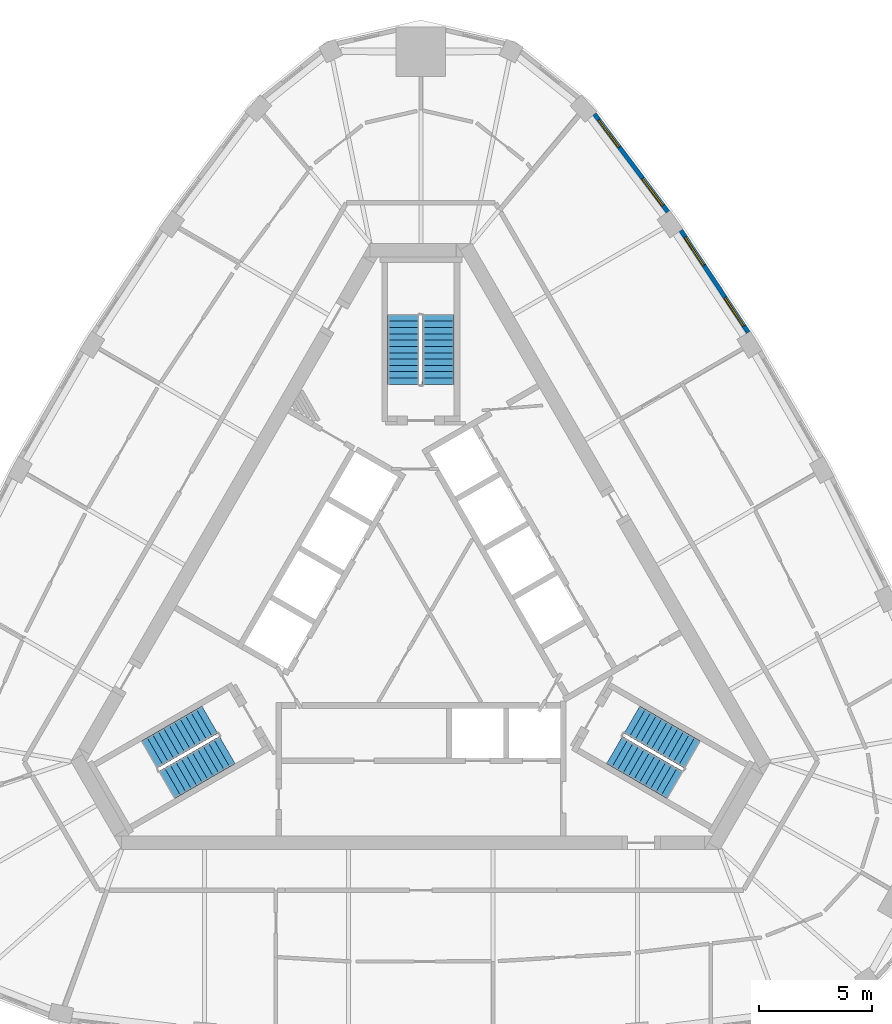
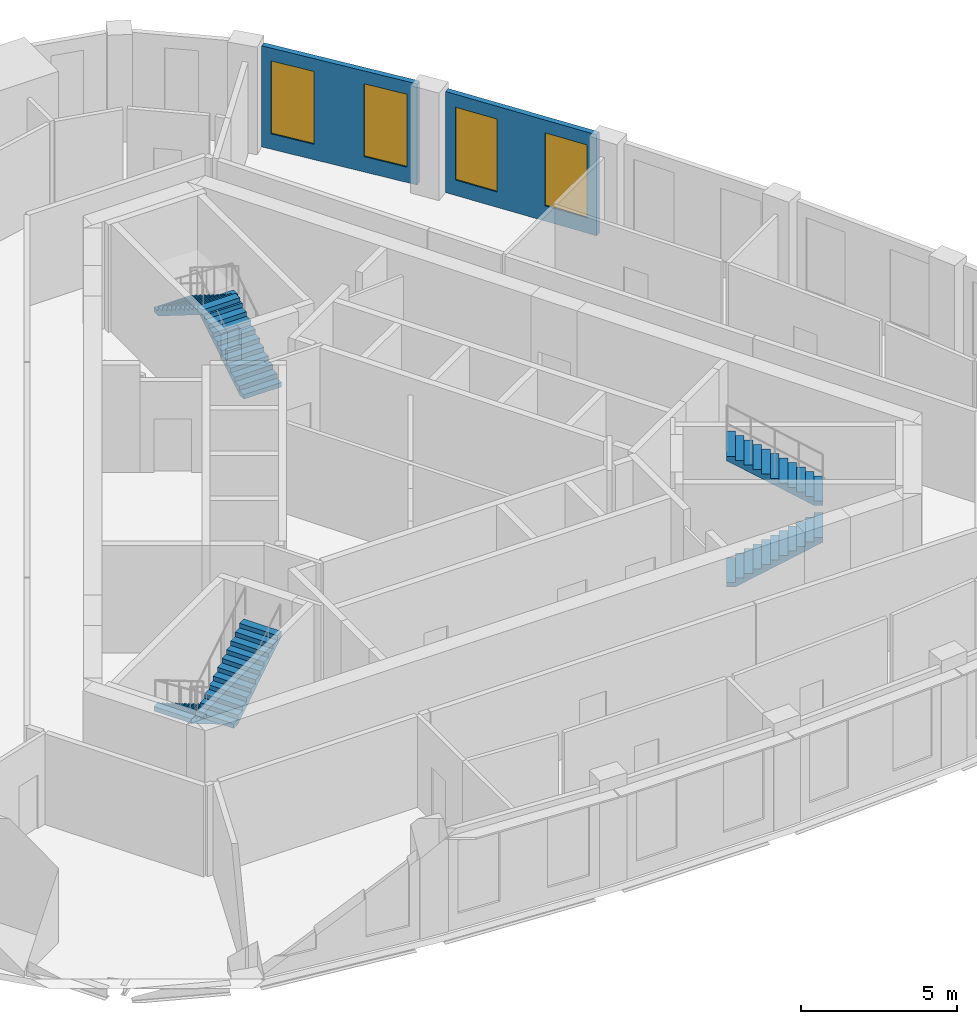
# One storey, part 9 of 10: 6 stair flights, 4 windows, 2 walls, 4 openings, 3 elements without a shape of their own.
"""IFC4 building model written with IfcOpenShell, lengths in metres."""

from ifc_helpers import new_model, si_unit, direction, frame, frame_2d, origin, place, context, subcontext, project, spatial, polyline, rectangle, outline, extrude, material, layer, layer_set, type_object, element, fill, aggregate, save


model = new_model("IFC4")

# Units and contexts
model_context = context("Model", 3, precision=1e-05, world=origin(), true_north=direction((0.0, 1.0)))
body_context = subcontext(model_context, "Body", "Model", "MODEL_VIEW")
ifc_project = project(units=[si_unit("LENGTHUNIT", "METRE"), si_unit("AREAUNIT", "SQUARE_METRE"), si_unit("VOLUMEUNIT", "CUBIC_METRE"), si_unit("PLANEANGLEUNIT", "RADIAN"), si_unit("MASSUNIT", "GRAM", prefix="KILO")], contexts=[model_context])

# Site, building, storey
site_placement = place(None, origin())
site = spatial("IfcSite", under=ifc_project, at=site_placement, CompositionType="ELEMENT")
building_placement = place(site_placement, origin())
building = spatial("IfcBuilding", under=site, at=building_placement, Name="Mestral Congress Tower", CompositionType="ELEMENT")
storey_placement = place(building_placement, frame((0.0, 0.0, 279.60009765625)))
storey = spatial("IfcBuildingStorey", under=building, at=storey_placement, Name="L65", CompositionType="ELEMENT", Elevation=279.60009765625)

# Wall, openings, windows
ifc_material_1 = material(Name="Precast concrete C40/50 with limestone facing", Category="masonry")
ifc_layer = layer(ifc_material_1, 0.18994140625)
ifc_layer_set = layer_set([ifc_layer], Name="Precast concrete C40/50 with limestone facing")
wall_type = type_object("IfcWallType", Name="Facade stone wall 190", PredefinedType="SOLIDWALL", material=ifc_layer_set)
wall_1_placement = place(storey_placement, frame((14.49560546875, 12.6533203125, 0.0), z_axis=(0.0, 0.0, 1.0), x_axis=(-0.550744054781, 0.83467417962, 0.0)))
wall_1 = element("IfcWall", 1, at=wall_1_placement, inside=storey, type_object=wall_type, Name="Facade wall F1-03", PredefinedType="SOLIDWALL", context=body_context, shape_type="SweptSolid", body=[
    extrude(rectangle(XDim=5.406005859375, YDim=0.18994140625, at=frame_2d((2.703125, 0.0))), origin(), (0.0, 0.0, 1.0), 3.949951171875),
])
opening_1_placement = place(wall_1_placement, frame((0.346435546875, 0.0, 0.60009765625)))
opening_1 = element("IfcOpeningElement", 2, at=opening_1_placement, cuts=wall_1, Name="Opening W6", PredefinedType="OPENING", context=body_context, shape_type="SweptSolid", body=[
    extrude(rectangle(XDim=1.5, YDim=2.85009765625, at=frame_2d((0.75, 1.425048828125))), frame((0.0, 0.10498046875, 0.0), z_axis=(0.0, -1.0, 0.0), x_axis=(1.0, 0.0, 0.0)), (0.0, 0.0, 1.0), 0.2099609375),
])
opening_2_placement = place(wall_1_placement, frame((3.559326171875, 0.0, 0.60009765625)))
opening_2 = element("IfcOpeningElement", 3, at=opening_2_placement, cuts=wall_1, Name="Opening W6", PredefinedType="OPENING", context=body_context, shape_type="SweptSolid", body=[
    extrude(rectangle(XDim=1.5, YDim=2.85009765625, at=frame_2d((0.75, 1.425048828125))), frame((0.0, 0.10498046875, 0.0), z_axis=(0.0, -1.0, 0.0), x_axis=(1.0, 0.0, 0.0)), (0.0, 0.0, 1.0), 0.2099609375),
])
ifc_material_2 = material(Name="Clear low-emissivity double glazing", Category="glass")
window_type = type_object("IfcWindowType", Name="Facade punched window 1500 x 2850 sill 600", PartitioningType="SINGLE_PANEL", PredefinedType="WINDOW", material=ifc_material_2)
window_1_placement = place(opening_1_placement, origin())
window_1 = element("IfcWindow", 4, at=window_1_placement, inside=storey, type_object=window_type, Name="Window F1-03a", OverallHeight=2.85009765625, OverallWidth=1.5, PartitioningType="SINGLE_PANEL", PredefinedType="WINDOW", context=body_context, shape_type="SweptSolid", body=[
    extrude(rectangle(XDim=1.5, YDim=2.85009765625, at=frame_2d((0.75, 1.425048828125))), frame((0.0, 0.044921875, 0.0), z_axis=(0.0, -1.0, 0.0), x_axis=(1.0, 0.0, 0.0)), (0.0, 0.0, 1.0), 0.06005859375),
])
fill(opening_1, window_1)
window_2_placement = place(opening_2_placement, origin())
window_2 = element("IfcWindow", 5, at=window_2_placement, inside=storey, type_object=window_type, Name="Window F1-03b", OverallHeight=2.85009765625, OverallWidth=1.5, PartitioningType="SINGLE_PANEL", PredefinedType="WINDOW", context=body_context, shape_type="SweptSolid", body=[
    extrude(rectangle(XDim=1.5, YDim=2.85009765625, at=frame_2d((0.75, 1.425048828125))), frame((0.0, 0.044921875, 0.0), z_axis=(0.0, -1.0, 0.0), x_axis=(1.0, 0.0, 0.0)), (0.0, 0.0, 1.0), 0.06005859375),
])
fill(opening_2, window_2)

wall_2_placement = place(storey_placement, frame((10.938232421875, 17.989990234375, 0.0), z_axis=(0.0, 0.0, 1.0), x_axis=(-0.599559865294, 0.800329911929, 0.0)))
wall_2 = element("IfcWall", 6, at=wall_2_placement, inside=storey, type_object=wall_type, Name="Facade wall F1-04", PredefinedType="SOLIDWALL", context=body_context, shape_type="SweptSolid", body=[
    extrude(rectangle(XDim=5.4150390625, YDim=0.18994140625, at=frame_2d((2.70751953125, 0.0))), origin(), (0.0, 0.0, 1.0), 3.949951171875),
])
opening_3_placement = place(wall_2_placement, frame((0.357666015625, 0.0, 0.60009765625)))
opening_3 = element("IfcOpeningElement", 7, at=opening_3_placement, cuts=wall_2, Name="Opening W6", PredefinedType="OPENING", context=body_context, shape_type="SweptSolid", body=[
    extrude(rectangle(XDim=1.5, YDim=2.85009765625, at=frame_2d((0.75, 1.425048828125))), frame((0.0, 0.10498046875, 0.0), z_axis=(0.0, -1.0, 0.0), x_axis=(1.0, 0.0, 0.0)), (0.0, 0.0, 1.0), 0.2099609375),
])
opening_4_placement = place(wall_2_placement, frame((3.592529296875, 0.0, 0.60009765625)))
opening_4 = element("IfcOpeningElement", 8, at=opening_4_placement, cuts=wall_2, Name="Opening W6", PredefinedType="OPENING", context=body_context, shape_type="SweptSolid", body=[
    extrude(rectangle(XDim=1.5, YDim=2.85009765625, at=frame_2d((0.75, 1.425048828125))), frame((0.0, 0.10498046875, 0.0), z_axis=(0.0, -1.0, 0.0), x_axis=(1.0, 0.0, 0.0)), (0.0, 0.0, 1.0), 0.2099609375),
])
window_3_placement = place(opening_3_placement, origin())
window_3 = element("IfcWindow", 9, at=window_3_placement, inside=storey, type_object=window_type, Name="Window F1-04a", OverallHeight=2.85009765625, OverallWidth=1.5, PartitioningType="SINGLE_PANEL", PredefinedType="WINDOW", context=body_context, shape_type="SweptSolid", body=[
    extrude(rectangle(XDim=1.5, YDim=2.85009765625, at=frame_2d((0.75, 1.425048828125))), frame((0.0, 0.044921875, 0.0), z_axis=(0.0, -1.0, 0.0), x_axis=(1.0, 0.0, 0.0)), (0.0, 0.0, 1.0), 0.06005859375),
])
fill(opening_3, window_3)
window_4_placement = place(opening_4_placement, origin())
window_4 = element("IfcWindow", 10, at=window_4_placement, inside=storey, type_object=window_type, Name="Window F1-04b", OverallHeight=2.85009765625, OverallWidth=1.5, PartitioningType="SINGLE_PANEL", PredefinedType="WINDOW", context=body_context, shape_type="SweptSolid", body=[
    extrude(rectangle(XDim=1.5, YDim=2.85009765625, at=frame_2d((0.75, 1.425048828125))), frame((0.0, 0.044921875, 0.0), z_axis=(0.0, -1.0, 0.0), x_axis=(1.0, 0.0, 0.0)), (0.0, 0.0, 1.0), 0.06005859375),
])
fill(opening_4, window_4)

# Stair, stair flights
ifc_material_3 = material(Name="Concrete C60/75", Category="concrete")
stair_type = type_object("IfcStairType", Name="Exit stair 1400", PredefinedType="HALF_TURN_STAIR", material=ifc_material_3)
placement = place(storey_placement, origin())
stair_1 = element("IfcStair", 11, at=placement, inside=storey, type_object=stair_type, Name="L65 ST1", PredefinedType="HALF_TURN_STAIR")
stair_flight_type = type_object("IfcStairFlightType", Name="Exit stair flight 1400", PredefinedType="STRAIGHT", material=ifc_material_3)
stair_flight_1_placement = place(storey_placement, frame((8.575927734375, -5.84619140625, 0.0), z_axis=(0.0, 0.0, 1.0), x_axis=(0.866025403784, -0.5, 0.0)))
stair_flight_1 = element("IfcStairFlight", 12, at=stair_flight_1_placement, type_object=stair_flight_type, Name="ST1 flight 1", NumberOfRisers=12, NumberOfTreads=11, PredefinedType="STRAIGHT", RiserHeight=0.175, TreadLength=0.28, context=body_context, shape_type="SweptSolid", body=[
    extrude(outline(polyline([(0.0, 0.0), (0.0, 0.175048828125), (0.280029296875, 0.175048828125), (0.280029296875, 0.35009765625), (0.56005859375, 0.35009765625), (0.56005859375, 0.52490234375), (0.840087890625, 0.52490234375), (0.840087890625, 0.699951171875), (1.1201171875, 0.699951171875), (1.1201171875, 0.875), (1.39990234375, 0.875), (1.39990234375, 1.050048828125), (1.679931640625, 1.050048828125), (1.679931640625, 1.22509765625), (1.9599609375, 1.22509765625), (1.9599609375, 1.39990234375), (2.239990234375, 1.39990234375), (2.239990234375, 1.574951171875), (2.52001953125, 1.574951171875), (2.52001953125, 1.75), (2.800048828125, 1.75), (2.800048828125, 1.925048828125), (3.080078125, 1.925048828125), (3.080078125, 2.10009765625), (3.080078125, 1.748291015625), (0.28271484375, 0.0), (0.0, 0.0)])), frame((0.0, 0.699951171875, 0.0), z_axis=(0.0, -1.0, 0.0), x_axis=(1.0, 0.0, 0.0)), (0.0, 0.0, 1.0), 1.39990234375),
])
stair_flight_2_placement = place(storey_placement, frame((12.018310546875, -6.0439453125, 2.099853515625), z_axis=(0.0, 0.0, 1.0), x_axis=(-0.866025403784, 0.5, 0.0)))
stair_flight_2 = element("IfcStairFlight", 13, at=stair_flight_2_placement, type_object=stair_flight_type, Name="ST1 flight 2", NumberOfRisers=12, NumberOfTreads=11, PredefinedType="STRAIGHT", RiserHeight=0.175, TreadLength=0.28, context=body_context, shape_type="SweptSolid", body=[
    extrude(outline(polyline([(0.0, 0.0), (0.0, 0.175048828125), (0.280029296875, 0.175048828125), (0.280029296875, 0.35009765625), (0.56005859375, 0.35009765625), (0.56005859375, 0.52490234375), (0.840087890625, 0.52490234375), (0.840087890625, 0.699951171875), (1.1201171875, 0.699951171875), (1.1201171875, 0.875), (1.39990234375, 0.875), (1.39990234375, 1.050048828125), (1.679931640625, 1.050048828125), (1.679931640625, 1.22509765625), (1.9599609375, 1.22509765625), (1.9599609375, 1.39990234375), (2.239990234375, 1.39990234375), (2.239990234375, 1.574951171875), (2.52001953125, 1.574951171875), (2.52001953125, 1.75), (2.800048828125, 1.75), (2.800048828125, 1.925048828125), (3.080078125, 1.925048828125), (3.080078125, 2.10009765625), (3.080078125, 1.748291015625), (0.28271484375, 0.0), (0.0, 0.0)])), frame((0.0, 0.699951171875, 0.0), z_axis=(0.0, -1.0, 0.0), x_axis=(1.0, 0.0, 0.0)), (0.0, 0.0, 1.0), 1.39990234375),
])
aggregate(stair_1, [stair_flight_1, stair_flight_2])

stair_2 = element("IfcStair", 14, at=placement, inside=storey, type_object=stair_type, Name="L65 ST2", PredefinedType="HALF_TURN_STAIR")
stair_flight_3_placement = place(storey_placement, frame((0.77490234375, 10.35009765625, 0.0), z_axis=(0.0, 0.0, 1.0), x_axis=(0.0, 1.0, 0.0)))
stair_flight_3 = element("IfcStairFlight", 15, at=stair_flight_3_placement, type_object=stair_flight_type, Name="ST2 flight 1", NumberOfRisers=12, NumberOfTreads=11, PredefinedType="STRAIGHT", RiserHeight=0.175, TreadLength=0.28, context=body_context, shape_type="SweptSolid", body=[
    extrude(outline(polyline([(0.0, 0.0), (0.0, 0.175048828125), (0.280029296875, 0.175048828125), (0.280029296875, 0.35009765625), (0.56005859375, 0.35009765625), (0.56005859375, 0.52490234375), (0.840087890625, 0.52490234375), (0.840087890625, 0.699951171875), (1.1201171875, 0.699951171875), (1.1201171875, 0.875), (1.39990234375, 0.875), (1.39990234375, 1.050048828125), (1.679931640625, 1.050048828125), (1.679931640625, 1.22509765625), (1.9599609375, 1.22509765625), (1.9599609375, 1.39990234375), (2.239990234375, 1.39990234375), (2.239990234375, 1.574951171875), (2.52001953125, 1.574951171875), (2.52001953125, 1.75), (2.800048828125, 1.75), (2.800048828125, 1.925048828125), (3.080078125, 1.925048828125), (3.080078125, 2.10009765625), (3.080078125, 1.748291015625), (0.28271484375, 0.0), (0.0, 0.0)])), frame((0.0, 0.699951171875, 0.0), z_axis=(0.0, -1.0, 0.0), x_axis=(1.0, 0.0, 0.0)), (0.0, 0.0, 1.0), 1.39990234375),
])
stair_flight_4_placement = place(storey_placement, frame((-0.77490234375, 13.429931640625, 2.099853515625), z_axis=(0.0, 0.0, 1.0), x_axis=(0.0, -1.0, 0.0)))
stair_flight_4 = element("IfcStairFlight", 16, at=stair_flight_4_placement, type_object=stair_flight_type, Name="ST2 flight 2", NumberOfRisers=12, NumberOfTreads=11, PredefinedType="STRAIGHT", RiserHeight=0.175, TreadLength=0.28, context=body_context, shape_type="SweptSolid", body=[
    extrude(outline(polyline([(0.0, 0.0), (0.0, 0.175048828125), (0.280029296875, 0.175048828125), (0.280029296875, 0.35009765625), (0.56005859375, 0.35009765625), (0.56005859375, 0.52490234375), (0.840087890625, 0.52490234375), (0.840087890625, 0.699951171875), (1.1201171875, 0.699951171875), (1.1201171875, 0.875), (1.39990234375, 0.875), (1.39990234375, 1.050048828125), (1.679931640625, 1.050048828125), (1.679931640625, 1.22509765625), (1.9599609375, 1.22509765625), (1.9599609375, 1.39990234375), (2.239990234375, 1.39990234375), (2.239990234375, 1.574951171875), (2.52001953125, 1.574951171875), (2.52001953125, 1.75), (2.800048828125, 1.75), (2.800048828125, 1.925048828125), (3.080078125, 1.925048828125), (3.080078125, 2.10009765625), (3.080078125, 1.748291015625), (0.28271484375, 0.0), (0.0, 0.0)])), frame((0.0, 0.699951171875, 0.0), z_axis=(0.0, -1.0, 0.0), x_axis=(1.0, 0.0, 0.0)), (0.0, 0.0, 1.0), 1.39990234375),
])
aggregate(stair_2, [stair_flight_3, stair_flight_4])

stair_3 = element("IfcStair", 17, at=placement, inside=storey, type_object=stair_type, Name="L65 ST3", PredefinedType="HALF_TURN_STAIR")
stair_flight_5_placement = place(storey_placement, frame((-9.350830078125, -4.50390625, 0.0), z_axis=(0.0, 0.0, 1.0), x_axis=(-0.866025403784, -0.5, 0.0)))
stair_flight_5 = element("IfcStairFlight", 18, at=stair_flight_5_placement, type_object=stair_flight_type, Name="ST3 flight 1", NumberOfRisers=12, NumberOfTreads=11, PredefinedType="STRAIGHT", RiserHeight=0.175, TreadLength=0.28, context=body_context, shape_type="SweptSolid", body=[
    extrude(outline(polyline([(0.0, 0.0), (0.0, 0.175048828125), (0.280029296875, 0.175048828125), (0.280029296875, 0.35009765625), (0.56005859375, 0.35009765625), (0.56005859375, 0.52490234375), (0.840087890625, 0.52490234375), (0.840087890625, 0.699951171875), (1.1201171875, 0.699951171875), (1.1201171875, 0.875), (1.39990234375, 0.875), (1.39990234375, 1.050048828125), (1.679931640625, 1.050048828125), (1.679931640625, 1.22509765625), (1.9599609375, 1.22509765625), (1.9599609375, 1.39990234375), (2.239990234375, 1.39990234375), (2.239990234375, 1.574951171875), (2.52001953125, 1.574951171875), (2.52001953125, 1.75), (2.800048828125, 1.75), (2.800048828125, 1.925048828125), (3.080078125, 1.925048828125), (3.080078125, 2.10009765625), (3.080078125, 1.748291015625), (0.28271484375, 0.0), (0.0, 0.0)])), frame((0.0, 0.699951171875, 0.0), z_axis=(0.0, -1.0, 0.0), x_axis=(1.0, 0.0, 0.0)), (0.0, 0.0, 1.0), 1.39990234375),
])
stair_flight_6_placement = place(storey_placement, frame((-11.2431640625, -7.38623046875, 2.099853515625), z_axis=(0.0, 0.0, 1.0), x_axis=(0.866025403784, 0.5, 0.0)))
stair_flight_6 = element("IfcStairFlight", 19, at=stair_flight_6_placement, type_object=stair_flight_type, Name="ST3 flight 2", NumberOfRisers=12, NumberOfTreads=11, PredefinedType="STRAIGHT", RiserHeight=0.175, TreadLength=0.28, context=body_context, shape_type="SweptSolid", body=[
    extrude(outline(polyline([(0.0, 0.0), (0.0, 0.175048828125), (0.280029296875, 0.175048828125), (0.280029296875, 0.35009765625), (0.56005859375, 0.35009765625), (0.56005859375, 0.52490234375), (0.840087890625, 0.52490234375), (0.840087890625, 0.699951171875), (1.1201171875, 0.699951171875), (1.1201171875, 0.875), (1.39990234375, 0.875), (1.39990234375, 1.050048828125), (1.679931640625, 1.050048828125), (1.679931640625, 1.22509765625), (1.9599609375, 1.22509765625), (1.9599609375, 1.39990234375), (2.239990234375, 1.39990234375), (2.239990234375, 1.574951171875), (2.52001953125, 1.574951171875), (2.52001953125, 1.75), (2.800048828125, 1.75), (2.800048828125, 1.925048828125), (3.080078125, 1.925048828125), (3.080078125, 2.10009765625), (3.080078125, 1.748291015625), (0.28271484375, 0.0), (0.0, 0.0)])), frame((0.0, 0.699951171875, 0.0), z_axis=(0.0, -1.0, 0.0), x_axis=(1.0, 0.0, 0.0)), (0.0, 0.0, 1.0), 1.39990234375),
])
aggregate(stair_3, [stair_flight_5, stair_flight_6])

save(model, "model.ifc")
